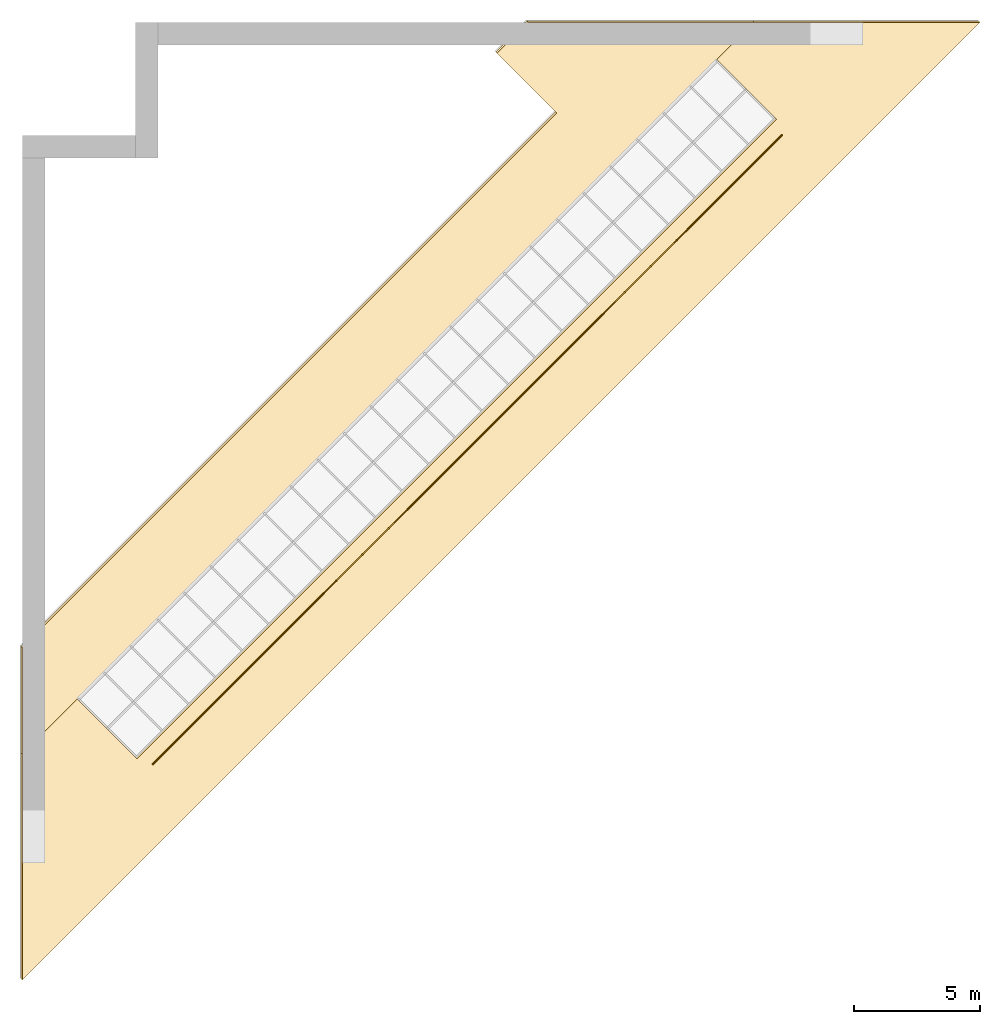
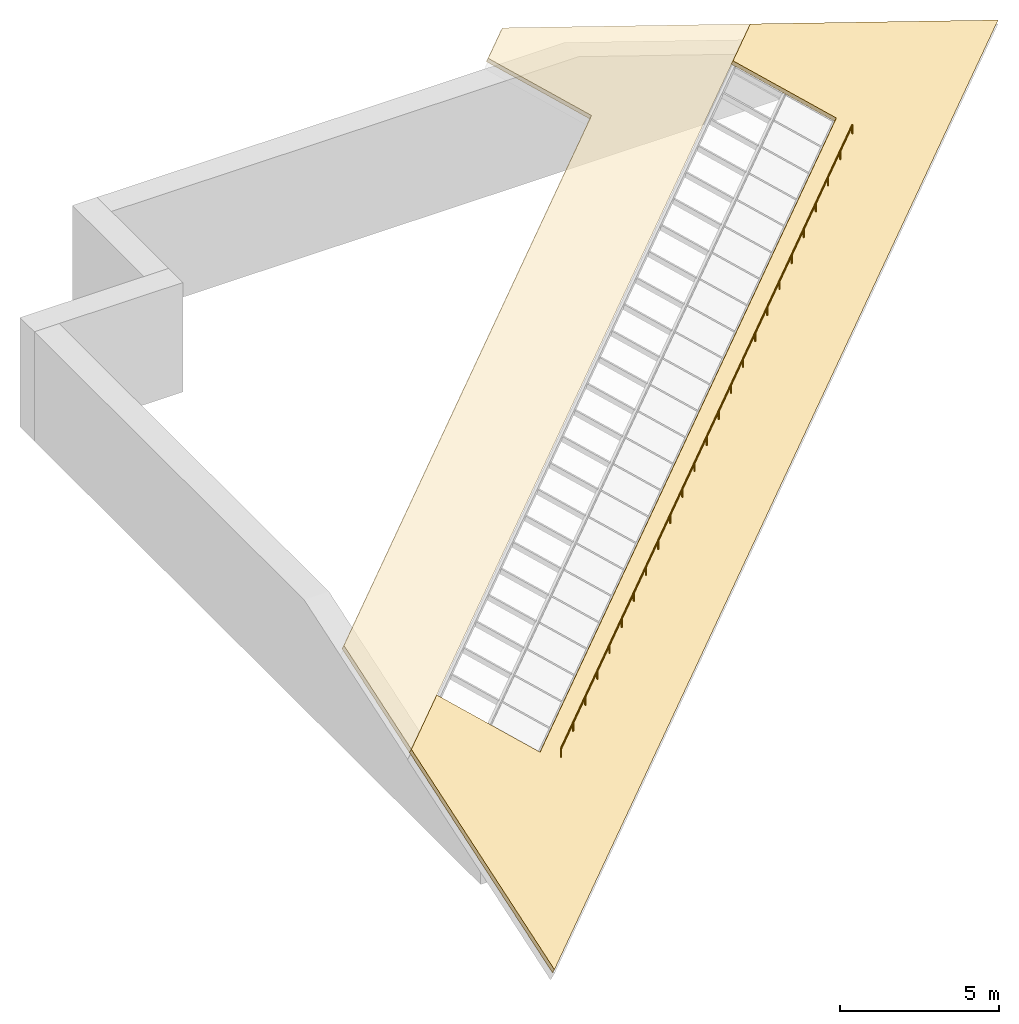
# One storey, part 3 of 3: 2 coverings, 1 railing.
"""IFC4 building model written with IfcOpenShell, lengths in metres."""

from ifc_helpers import new_model, si_unit, direction, frame, origin, origin_2d, place, context, subcontext, project, spatial, polyline, circle, outline, extrude, material, layer, layer_set, type_object, element, save


model = new_model("IFC4")

# Units and contexts
model_context = context("Model", 3, precision=1e-05, world=origin(), true_north=direction((0.0, 1.0)))
body_context = subcontext(model_context, "Body", "Model", "MODEL_VIEW")
ifc_project = project(units=[si_unit("LENGTHUNIT", "METRE"), si_unit("AREAUNIT", "SQUARE_METRE"), si_unit("VOLUMEUNIT", "CUBIC_METRE"), si_unit("PLANEANGLEUNIT", "RADIAN"), si_unit("MASSUNIT", "GRAM", prefix="KILO")], contexts=[model_context])

# Site, building, storey
site_placement = place(None, origin())
site = spatial("IfcSite", under=ifc_project, at=site_placement, CompositionType="ELEMENT")
building_placement = place(site_placement, origin())
building = spatial("IfcBuilding", under=site, at=building_placement, Name="Hunhe Ridgeline Campus", CompositionType="ELEMENT")
storey_placement = place(building_placement, frame((0.0, 0.0, 324.0)))
storey = spatial("IfcBuildingStorey", under=building, at=storey_placement, Name="L83 Crown", CompositionType="ELEMENT", Elevation=324.0)

# Coverings
ifc_material_1 = material(Name="Bituminous roofing membrane on mineral wool")
ifc_layer = layer(ifc_material_1, 0.14990234375)
ifc_layer_set = layer_set([ifc_layer], Name="Roof insulation and membrane 150")
covering_type = type_object("IfcCoveringType", Name="Roof insulation and membrane 150", PredefinedType="ROOFING", material=ifc_layer_set)
covering_1_placement = place(storey_placement, frame((0.0, 60.878662109375, -0.449462890625), z_axis=(0.301527920892, -0.301527920892, 0.904522982486), x_axis=(0.707106781187, 0.707106781187, 0.0)))
element("IfcCovering", 1, at=covering_1_placement, inside=storey, type_object=covering_type, Name="Roof insulation and membrane 8", PredefinedType="ROOFING", context=body_context, shape_type="SweptSolid", body=[
    extrude(outline(polyline([(0.0, 0.0), (53.911713060729234, 0.0), (47.547752030050304, 7.0357277450078435), (45.45232671021576, 7.0357277450078435), (45.45232671021576, 3.3166869261306804), (9.452374193625054, 3.3166869261306813), (9.452374193625054, 7.0357277450078435), (6.3639610306789285, 7.0357277450078435), (0.0, 0.0)])), origin(), (0.0, 0.0, -1.0), 0.14990234375),
])
covering_2_placement = place(storey_placement, frame((20.121337890625, 99.0, 5.55078125), z_axis=(0.30152333223, -0.30152070401, 0.904526917882), x_axis=(-0.707106220827, -0.707107341544, 1.681002e-06)))
element("IfcCovering", 2, at=covering_2_placement, inside=storey, type_object=covering_type, Name="Roof insulation and membrane 9", PredefinedType="ROOFING", context=body_context, shape_type="SweptSolid", body=[
    extrude(outline(polyline([(0.0, 0.0), (1.731513919748248, 1.1102230246251565e-16), (1.7315139200003855, 3.7189367126521082), (31.819805153591822, 3.7189367126521113), (34.81982996885051, 7.035623638755491), (-6.36396103044974, 7.035623638755488), (0.0, 0.0)])), origin(), (0.0, 0.0, -1.0), 0.14990234375),
])

# Railing
ifc_material_2 = material(Name="Steel Q355", Category="steel")
railing_type = type_object("IfcRailingType", Name="Snow guard 350 Steel Q355", PredefinedType="USERDEFINED", material=ifc_material_2)
railing_placement = place(storey_placement, frame((30.23046875, 94.503173828125, 0.681884765625)))
element("IfcRailing", 3, at=railing_placement, inside=storey, type_object=railing_type, Name="Snow guard 6", ObjectType="SNOW GUARD", PredefinedType="USERDEFINED", context=body_context, shape_type="SweptSolid", body=[
    extrude(circle(Radius=0.02392578125, at=origin_2d()), frame((0.0, 0.0, 0.326171875), z_axis=(-0.707110229487, -0.707103332869, 0.0), x_axis=(0.707103332869, -0.707110229487, 0.0)), (0.0, 0.0, 1.0), 35.400146484375),
    extrude(circle(Radius=0.02099609375, at=origin_2d()), origin(), (0.0, 0.0, 1.0), 0.302001953125),
    extrude(circle(Radius=0.02099609375, at=origin_2d()), frame((-1.04296875, -1.04296875, 0.0)), (0.0, 0.0, 1.0), 0.302001953125),
    extrude(circle(Radius=0.02099609375, at=origin_2d()), frame((-2.0859375, -2.0859375, 0.0)), (0.0, 0.0, 1.0), 0.302001953125),
    extrude(circle(Radius=0.02099609375, at=origin_2d()), frame((-3.12890625, -3.12890625, 0.0)), (0.0, 0.0, 1.0), 0.302001953125),
    extrude(circle(Radius=0.02099609375, at=origin_2d()), frame((-4.171875, -4.171875, 0.0)), (0.0, 0.0, 1.0), 0.302001953125),
    extrude(circle(Radius=0.02099609375, at=origin_2d()), frame((-5.21484375, -5.21484375, 0.0)), (0.0, 0.0, 1.0), 0.302001953125),
    extrude(circle(Radius=0.02099609375, at=origin_2d()), frame((-6.2578125, -6.2578125, 0.0)), (0.0, 0.0, 1.0), 0.302001953125),
    extrude(circle(Radius=0.02099609375, at=origin_2d()), frame((-7.301025390625, -7.30078125, 0.0)), (0.0, 0.0, 1.0), 0.302001953125),
    extrude(circle(Radius=0.02099609375, at=origin_2d()), frame((-8.343994140625, -8.34375, 0.0)), (0.0, 0.0, 1.0), 0.302001953125),
    extrude(circle(Radius=0.02099609375, at=origin_2d()), frame((-9.386962890625, -9.38671875, 0.0)), (0.0, 0.0, 1.0), 0.302001953125),
    extrude(circle(Radius=0.02099609375, at=origin_2d()), frame((-10.429931640625, -10.4296875, 0.0)), (0.0, 0.0, 1.0), 0.302001953125),
    extrude(circle(Radius=0.02099609375, at=origin_2d()), frame((-11.472900390625, -11.47265625, 0.0)), (0.0, 0.0, 1.0), 0.302001953125),
    extrude(circle(Radius=0.02099609375, at=origin_2d()), frame((-12.515869140625, -12.515625, 0.0)), (0.0, 0.0, 1.0), 0.302001953125),
    extrude(circle(Radius=0.02099609375, at=origin_2d()), frame((-13.558837890625, -13.558837890625, 0.0)), (0.0, 0.0, 1.0), 0.302001953125),
    extrude(circle(Radius=0.02099609375, at=origin_2d()), frame((-14.601806640625, -14.601806640625, 0.0)), (0.0, 0.0, 1.0), 0.302001953125),
    extrude(circle(Radius=0.02099609375, at=origin_2d()), frame((-15.644775390625, -15.644775390625, 0.0)), (0.0, 0.0, 1.0), 0.302001953125),
    extrude(circle(Radius=0.02099609375, at=origin_2d()), frame((-16.687744140625, -16.687744140625, 0.0)), (0.0, 0.0, 1.0), 0.302001953125),
    extrude(circle(Radius=0.02099609375, at=origin_2d()), frame((-17.730712890625, -17.730712890625, 0.0)), (0.0, 0.0, 1.0), 0.302001953125),
    extrude(circle(Radius=0.02099609375, at=origin_2d()), frame((-18.77392578125, -18.773681640625, 0.0)), (0.0, 0.0, 1.0), 0.302001953125),
    extrude(circle(Radius=0.02099609375, at=origin_2d()), frame((-19.81689453125, -19.816650390625, 0.0)), (0.0, 0.0, 1.0), 0.302001953125),
    extrude(circle(Radius=0.02099609375, at=origin_2d()), frame((-20.85986328125, -20.859619140625, 0.0)), (0.0, 0.0, 1.0), 0.302001953125),
    extrude(circle(Radius=0.02099609375, at=origin_2d()), frame((-21.90283203125, -21.902587890625, 0.0)), (0.0, 0.0, 1.0), 0.302001953125),
    extrude(circle(Radius=0.02099609375, at=origin_2d()), frame((-22.94580078125, -22.945556640625, 0.0)), (0.0, 0.0, 1.0), 0.302001953125),
    extrude(circle(Radius=0.02099609375, at=origin_2d()), frame((-23.98876953125, -23.988525390625, 0.0)), (0.0, 0.0, 1.0), 0.302001953125),
    extrude(circle(Radius=0.02099609375, at=origin_2d()), frame((-25.03173828125, -25.031494140625, 0.0)), (0.0, 0.0, 1.0), 0.302001953125),
])

save(model, "model.ifc")
